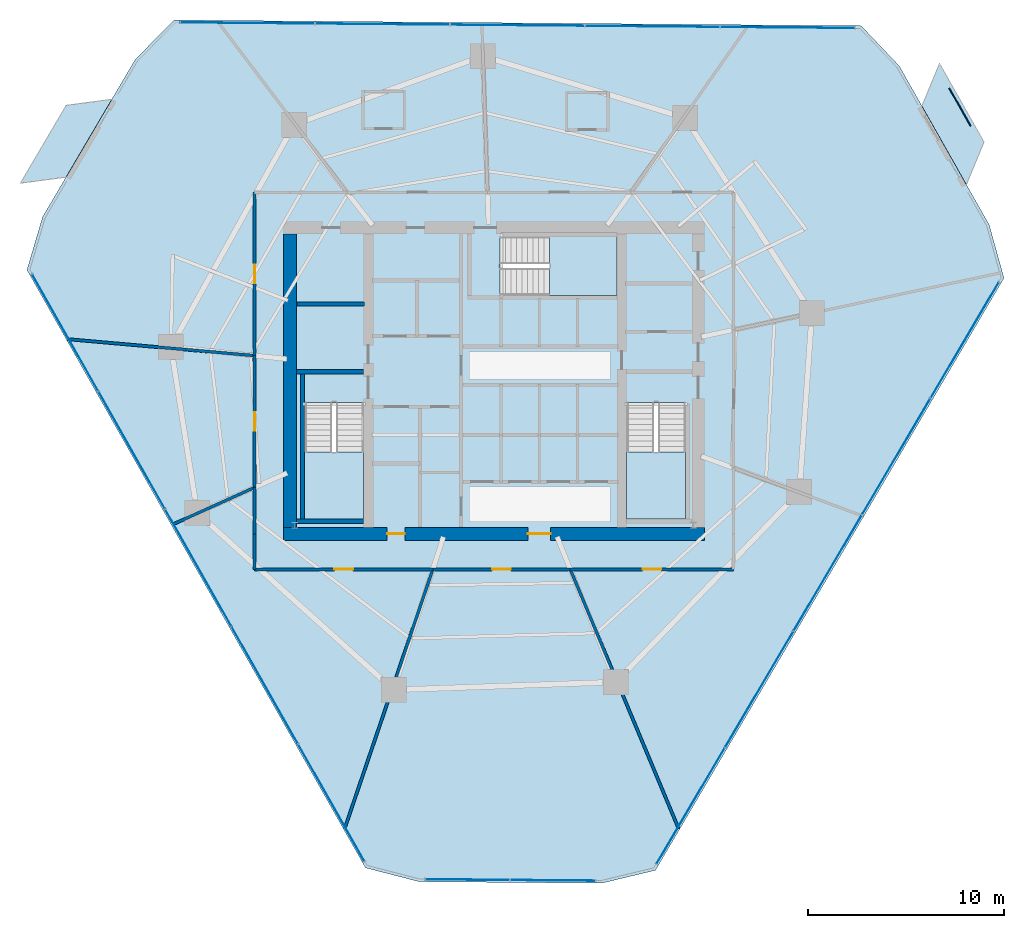
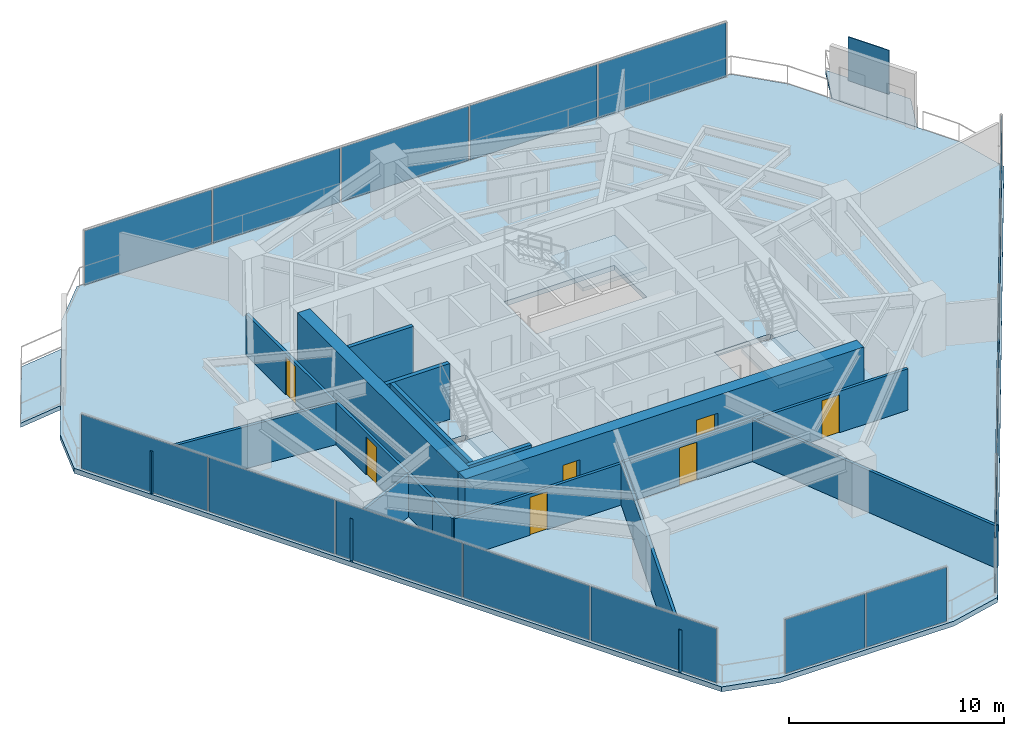
# One storey, part 24 of 31: 18 plates, 17 walls, 7 doors, 6 slabs, 7 openings, 7 elements without a shape of their own.
"""IFC4 building model written with IfcOpenShell, lengths in metres."""

from ifc_helpers import new_model, si_unit, direction, frame, frame_2d, origin, origin_2d, place, context, subcontext, project, spatial, polyline, rectangle, outline, extrude, material, layer, layer_set, type_object, element, fill, aggregate, save


model = new_model("IFC4")

# Units and contexts
model_context = context("Model", 3, precision=1e-05, world=origin(), true_north=direction((0.0, 1.0)))
body_context = subcontext(model_context, "Body", "Model", "MODEL_VIEW")
ifc_project = project(units=[si_unit("LENGTHUNIT", "METRE"), si_unit("AREAUNIT", "SQUARE_METRE"), si_unit("VOLUMEUNIT", "CUBIC_METRE"), si_unit("PLANEANGLEUNIT", "RADIAN"), si_unit("MASSUNIT", "GRAM", prefix="KILO")], contexts=[model_context])

# Site, building, storey
site_placement = place(None, origin())
site = spatial("IfcSite", under=ifc_project, at=site_placement, CompositionType="ELEMENT")
building_placement = place(site_placement, origin())
building = spatial("IfcBuilding", under=site, at=building_placement, Name="Qarnah Convention Tower", CompositionType="ELEMENT")
storey_placement = place(building_placement, frame((0.0, 0.0, 64.949951171875)))
storey = spatial("IfcBuildingStorey", under=building, at=storey_placement, Name="L16", CompositionType="ELEMENT", Elevation=64.949951171875)

# Curtain wall, plates
ifc_material_1 = material(Name="Tempered Low-E dark glass", Category="glass")
ifc_layer_1 = layer(ifc_material_1, 0.16796875)
ifc_layer_set_1 = layer_set([ifc_layer_1], Name="Tempered Low-E dark glass")
curtain_wall_type = type_object("IfcCurtainWallType", Name="CWS-01", PredefinedType="NOTDEFINED", material=ifc_layer_set_1)
curtain_wall_1_placement = place(storey_placement, origin())
curtain_wall_1 = element("IfcCurtainWall", 1, at=curtain_wall_1_placement, inside=storey, type_object=curtain_wall_type, Name="L16 unitised curtain wall CW-L16-F1", PredefinedType="NOTDEFINED")
ifc_layer_2 = layer(ifc_material_1, 0.028076171875)
ifc_layer_set_2 = layer_set([ifc_layer_2], Name="Tempered Low-E dark glass")
plate_type_1 = type_object("IfcPlateType", Name="PNL-T1", PredefinedType="CURTAIN_PANEL", material=ifc_layer_set_2)
plate_1_placement = place(storey_placement, frame((24.63671875, 44.625244140625, 0.0400390625), z_axis=(0.0, 0.0, 1.0), x_axis=(0.999965190634, -0.008343711474, 0.0)))
plate_1 = element("IfcPlate", 2, at=plate_1_placement, type_object=plate_type_1, Name="CW-L16-F1 curtain panel 1.1", PredefinedType="CURTAIN_PANEL", context=body_context, shape_type="SweptSolid", body=[
    extrude(rectangle(XDim=6.799560546875, YDim=0.028076171875, at=origin_2d()), origin(), (0.0, 0.0, 1.0), 3.090087890625),
])
plate_2_placement = place(storey_placement, frame((31.515869140625, 44.56787109375, 0.0400390625), z_axis=(0.0, 0.0, 1.0), x_axis=(0.999965190634, -0.008343711474, 0.0)))
plate_2 = element("IfcPlate", 3, at=plate_2_placement, type_object=plate_type_1, Name="CW-L16-F1 curtain panel 2.1", PredefinedType="CURTAIN_PANEL", context=body_context, shape_type="SweptSolid", body=[
    extrude(rectangle(XDim=6.799560546875, YDim=0.028076171875, at=origin_2d()), origin(), (0.0, 0.0, 1.0), 3.090087890625),
])
plate_3_placement = place(storey_placement, frame((38.39501953125, 44.510498046875, 0.0400390625), z_axis=(0.0, 0.0, 1.0), x_axis=(0.999965190634, -0.008343711474, 0.0)))
plate_3 = element("IfcPlate", 4, at=plate_3_placement, type_object=plate_type_1, Name="CW-L16-F1 curtain panel 3.1", PredefinedType="CURTAIN_PANEL", context=body_context, shape_type="SweptSolid", body=[
    extrude(rectangle(XDim=6.799560546875, YDim=0.028076171875, at=origin_2d()), origin(), (0.0, 0.0, 1.0), 3.090087890625),
])
plate_4_placement = place(storey_placement, frame((45.274169921875, 44.453125, 0.0400390625), z_axis=(0.0, 0.0, 1.0), x_axis=(0.999965190634, -0.008343711474, 0.0)))
plate_4 = element("IfcPlate", 5, at=plate_4_placement, type_object=plate_type_1, Name="CW-L16-F1 curtain panel 4.1", PredefinedType="CURTAIN_PANEL", context=body_context, shape_type="SweptSolid", body=[
    extrude(rectangle(XDim=6.799560546875, YDim=0.028076171875, at=origin_2d()), origin(), (0.0, 0.0, 1.0), 3.090087890625),
])
plate_5_placement = place(storey_placement, frame((52.1533203125, 44.395751953125, 0.0400390625), z_axis=(0.0, 0.0, 1.0), x_axis=(0.999965190634, -0.008343711474, 0.0)))
plate_5 = element("IfcPlate", 6, at=plate_5_placement, type_object=plate_type_1, Name="CW-L16-F1 curtain panel 5.1", PredefinedType="CURTAIN_PANEL", context=body_context, shape_type="SweptSolid", body=[
    extrude(rectangle(XDim=6.799560546875, YDim=0.028076171875, at=origin_2d()), origin(), (0.0, 0.0, 1.0), 3.090087890625),
])
aggregate(curtain_wall_1, [plate_1, plate_2, plate_3, plate_4, plate_5])

curtain_wall_2_placement = place(storey_placement, origin())
curtain_wall_2 = element("IfcCurtainWall", 7, at=curtain_wall_2_placement, inside=storey, type_object=curtain_wall_type, Name="L16 unitised curtain wall CW-L16-F2", PredefinedType="NOTDEFINED")
plate_6_placement = place(storey_placement, frame((61.17138671875, 28.467529296875, 0.0400390625), z_axis=(0.0, 0.0, 1.0), x_axis=(-0.507200534441, -0.86182806746, 0.0)))
plate_6 = element("IfcPlate", 8, at=plate_6_placement, type_object=plate_type_1, Name="CW-L16-F2 curtain panel 1.1", PredefinedType="CURTAIN_PANEL", context=body_context, shape_type="SweptSolid", body=[
    extrude(rectangle(XDim=6.79931640625, YDim=0.028076171875, at=origin_2d()), origin(), (0.0, 0.0, 1.0), 3.090087890625),
])
plate_7_placement = place(storey_placement, frame((57.68212890625, 22.538818359375, 0.0400390625), z_axis=(0.0, 0.0, 1.0), x_axis=(-0.507200534441, -0.86182806746, 0.0)))
plate_7 = element("IfcPlate", 9, at=plate_7_placement, type_object=plate_type_1, Name="CW-L16-F2 curtain panel 2.1", PredefinedType="CURTAIN_PANEL", context=body_context, shape_type="SweptSolid", body=[
    extrude(rectangle(XDim=6.79931640625, YDim=0.028076171875, at=origin_2d()), origin(), (0.0, 0.0, 1.0), 3.090087890625),
])
plate_8_placement = place(storey_placement, frame((54.193115234375, 16.610107421875, 0.0400390625), z_axis=(0.0, 0.0, 1.0), x_axis=(-0.507200534441, -0.86182806746, 0.0)))
plate_8 = element("IfcPlate", 10, at=plate_8_placement, type_object=plate_type_1, Name="CW-L16-F2 curtain panel 3.1", PredefinedType="CURTAIN_PANEL", context=body_context, shape_type="SweptSolid", body=[
    extrude(rectangle(XDim=6.79931640625, YDim=0.028076171875, at=origin_2d()), origin(), (0.0, 0.0, 1.0), 3.090087890625),
])
plate_9_placement = place(storey_placement, frame((50.703857421875, 10.68115234375, 0.0400390625), z_axis=(0.0, 0.0, 1.0), x_axis=(-0.507200534441, -0.86182806746, 0.0)))
plate_9 = element("IfcPlate", 11, at=plate_9_placement, type_object=plate_type_1, Name="CW-L16-F2 curtain panel 4.1", PredefinedType="CURTAIN_PANEL", context=body_context, shape_type="SweptSolid", body=[
    extrude(rectangle(XDim=6.79931640625, YDim=0.028076171875, at=origin_2d()), origin(), (0.0, 0.0, 1.0), 3.090087890625),
])
plate_10_placement = place(storey_placement, frame((47.214599609375, 4.75244140625, 0.0400390625), z_axis=(0.0, 0.0, 1.0), x_axis=(-0.507200534441, -0.86182806746, 0.0)))
plate_10 = element("IfcPlate", 12, at=plate_10_placement, type_object=plate_type_1, Name="CW-L16-F2 curtain panel 5.1", PredefinedType="CURTAIN_PANEL", context=body_context, shape_type="SweptSolid", body=[
    extrude(rectangle(XDim=6.79931640625, YDim=0.028076171875, at=origin_2d()), origin(), (0.0, 0.0, 1.0), 3.090087890625),
])
aggregate(curtain_wall_2, [plate_6, plate_7, plate_8, plate_9, plate_10])

curtain_wall_3_placement = place(storey_placement, origin())
curtain_wall_3 = element("IfcCurtainWall", 13, at=curtain_wall_3_placement, inside=storey, type_object=curtain_wall_type, Name="L16 unitised curtain wall CW-L16-F3", PredefinedType="NOTDEFINED")
plate_11_placement = place(storey_placement, frame((28.9111328125, 4.906005859375, 0.0400390625), z_axis=(0.0, 0.0, 1.0), x_axis=(-0.492728662866, 0.870183006493, 0.0)))
plate_11 = element("IfcPlate", 14, at=plate_11_placement, type_object=plate_type_1, Name="CW-L16-F3 curtain panel 1.1", PredefinedType="CURTAIN_PANEL", context=body_context, shape_type="SweptSolid", body=[
    extrude(rectangle(XDim=6.79931640625, YDim=0.028076171875, at=origin_2d()), origin(), (0.0, 0.0, 1.0), 3.090087890625),
])
plate_12_placement = place(storey_placement, frame((25.521484375, 10.892333984375, 0.0400390625), z_axis=(0.0, 0.0, 1.0), x_axis=(-0.492728662866, 0.870183006493, 0.0)))
plate_12 = element("IfcPlate", 15, at=plate_12_placement, type_object=plate_type_1, Name="CW-L16-F3 curtain panel 2.1", PredefinedType="CURTAIN_PANEL", context=body_context, shape_type="SweptSolid", body=[
    extrude(rectangle(XDim=6.79931640625, YDim=0.028076171875, at=origin_2d()), origin(), (0.0, 0.0, 1.0), 3.090087890625),
])
plate_13_placement = place(storey_placement, frame((22.132080078125, 16.87841796875, 0.0400390625), z_axis=(0.0, 0.0, 1.0), x_axis=(-0.492728662866, 0.870183006493, 0.0)))
plate_13 = element("IfcPlate", 16, at=plate_13_placement, type_object=plate_type_1, Name="CW-L16-F3 curtain panel 3.1", PredefinedType="CURTAIN_PANEL", context=body_context, shape_type="SweptSolid", body=[
    extrude(rectangle(XDim=6.79931640625, YDim=0.028076171875, at=origin_2d()), origin(), (0.0, 0.0, 1.0), 3.090087890625),
])
plate_14_placement = place(storey_placement, frame((18.742431640625, 22.86474609375, 0.0400390625), z_axis=(0.0, 0.0, 1.0), x_axis=(-0.492728662866, 0.870183006493, 0.0)))
plate_14 = element("IfcPlate", 17, at=plate_14_placement, type_object=plate_type_1, Name="CW-L16-F3 curtain panel 4.1", PredefinedType="CURTAIN_PANEL", context=body_context, shape_type="SweptSolid", body=[
    extrude(rectangle(XDim=6.79931640625, YDim=0.028076171875, at=origin_2d()), origin(), (0.0, 0.0, 1.0), 3.090087890625),
])
plate_15_placement = place(storey_placement, frame((15.352783203125, 28.850830078125, 0.0400390625), z_axis=(0.0, 0.0, 1.0), x_axis=(-0.492728662866, 0.870183006493, 0.0)))
plate_15 = element("IfcPlate", 18, at=plate_15_placement, type_object=plate_type_1, Name="CW-L16-F3 curtain panel 5.1", PredefinedType="CURTAIN_PANEL", context=body_context, shape_type="SweptSolid", body=[
    extrude(rectangle(XDim=6.79931640625, YDim=0.028076171875, at=origin_2d()), origin(), (0.0, 0.0, 1.0), 3.090087890625),
])
aggregate(curtain_wall_3, [plate_11, plate_12, plate_13, plate_14, plate_15])

curtain_wall_4_placement = place(storey_placement, origin())
curtain_wall_4 = element("IfcCurtainWall", 19, at=curtain_wall_4_placement, inside=storey, type_object=curtain_wall_type, Name="L16 unitised curtain wall CW-L16-F4", PredefinedType="NOTDEFINED")
plate_16_placement = place(storey_placement, frame((40.204345703125, 0.950927734375, 0.0400390625), z_axis=(0.0, 0.0, 1.0), x_axis=(-0.999965717391, 0.008280340758, 0.0)))
plate_16 = element("IfcPlate", 20, at=plate_16_placement, type_object=plate_type_1, Name="CW-L16-F4 curtain panel 1.1", PredefinedType="CURTAIN_PANEL", context=body_context, shape_type="SweptSolid", body=[
    extrude(rectangle(XDim=4.267578125, YDim=0.028076171875, at=origin_2d()), origin(), (0.0, 0.0, 1.0), 3.090087890625),
])
plate_17_placement = place(storey_placement, frame((35.856689453125, 0.987060546875, 0.0400390625), z_axis=(0.0, 0.0, 1.0), x_axis=(-0.999965717391, 0.008280340758, 0.0)))
plate_17 = element("IfcPlate", 21, at=plate_17_placement, type_object=plate_type_1, Name="CW-L16-F4 curtain panel 2.1", PredefinedType="CURTAIN_PANEL", context=body_context, shape_type="SweptSolid", body=[
    extrude(rectangle(XDim=4.267578125, YDim=0.028076171875, at=origin_2d()), origin(), (0.0, 0.0, 1.0), 3.090087890625),
])
aggregate(curtain_wall_4, [plate_16, plate_17])

# Plate
ifc_material_2 = material(Name="Black anodised aluminium", Category="aluminium")
ifc_layer_3 = layer(ifc_material_2, 0.044921875)
ifc_layer_set_3 = layer_set([ifc_layer_3], Name="Black anodised aluminium")
plate_type_2 = type_object("IfcPlateType", Name="SCR-BAL-18", PredefinedType="USERDEFINED", material=ifc_layer_set_3)
plate_18_placement = place(storey_placement, frame((60.928955078125, 40.337890625, 0.0), z_axis=(0.0, 0.0, 1.0), x_axis=(0.492880728365, -0.870096884034, 0.0)))
element("IfcPlate", 22, at=plate_18_placement, inside=storey, type_object=plate_type_2, Name="L16 perforated desert solar screen BAL-L16-C1", ObjectType="SCREEN", PredefinedType="USERDEFINED", context=body_context, shape_type="SweptSolid", body=[
    extrude(rectangle(XDim=2.199951171875, YDim=0.044921875, at=origin_2d()), origin(), (0.0, 0.0, 1.0), 2.5),
])

# Slabs
ifc_material_3 = material(Name="Concrete C45/55", Category="concrete")
ifc_layer_4 = layer(ifc_material_3, 0.239990234375)
ifc_layer_set_4 = layer_set([ifc_layer_4], Name="Concrete C45/55")
slab_type_1 = type_object("IfcSlabType", Name="SLB-BAL-240", PredefinedType="USERDEFINED", material=ifc_layer_set_4)
slab_1_placement = place(storey_placement, frame((0.0, 0.0, -0.239990234375)))
element("IfcSlab", 23, at=slab_1_placement, inside=storey, type_object=slab_type_1, Name="L16 cantilevered balcony slab BAL-L16-C1", ObjectType="BALCONY", PredefinedType="USERDEFINED", context=body_context, shape_type="SweptSolid", body=[
    extrude(outline(polyline([(59.886962890625, 42.56103515625), (62.154052734375, 38.55908203125), (61.257080078125, 36.389892578125), (58.989990234375, 40.39404296875), (59.886962890625, 42.56103515625)])), origin(), (0.0, 0.0, 1.0), 0.239990234375),
])
slab_2_placement = place(storey_placement, frame((0.0, 0.0, -0.239990234375)))
element("IfcSlab", 24, at=slab_2_placement, inside=storey, type_object=slab_type_1, Name="L16 cantilevered balcony slab BAL-L16-C2", ObjectType="BALCONY", PredefinedType="USERDEFINED", context=body_context, shape_type="SweptSolid", body=[
    extrude(outline(polyline([(13.073974609375, 36.466064453125), (15.406982421875, 40.430908203125), (17.73291015625, 40.738037109375), (15.39892578125, 36.77294921875), (13.073974609375, 36.466064453125)])), origin(), (0.0, 0.0, 1.0), 0.239990234375),
])

# Stair, slab
ifc_material_4 = material(Name="Concrete C50/60", Category="concrete")
stair_type = type_object("IfcStairType", Name="STR-HTL", PredefinedType="HALF_TURN_STAIR", material=ifc_material_4)
stair_1_placement = place(storey_placement, origin())
stair_1 = element("IfcStair", 25, at=stair_1_placement, inside=storey, type_object=stair_type, Name="L16 Core exit stair ST-1", PredefinedType="HALF_TURN_STAIR")
ifc_layer_5 = layer(ifc_material_4, 0.199951171875)
ifc_layer_set_5 = layer_set([ifc_layer_5], Name="Concrete C50/60")
slab_type_2 = type_object("IfcSlabType", Name="SLB-LANDING-200", PredefinedType="LANDING", material=ifc_layer_set_5)
slab_3_placement = place(storey_placement, frame((0.0, 0.0, 1.525146484375)))
slab_3 = element("IfcSlab", 26, at=slab_3_placement, type_object=slab_type_2, Name="ST-1 landing 1", PredefinedType="LANDING", context=body_context, shape_type="SweptSolid", body=[
    extrude(outline(polyline([(27.550048828125, 22.780029296875), (27.550048828125, 19.35009765625), (30.550048828125, 19.35009765625), (30.550048828125, 22.780029296875), (27.550048828125, 22.780029296875)])), origin(), (0.0, 0.0, 1.0), 0.199951171875),
])
aggregate(stair_1, [slab_3])

stair_2_placement = place(storey_placement, origin())
stair_2 = element("IfcStair", 27, at=stair_2_placement, inside=storey, type_object=stair_type, Name="L16 Core exit stair ST-2", PredefinedType="HALF_TURN_STAIR")
slab_4_placement = place(storey_placement, frame((0.0, 0.0, 1.525146484375)))
slab_4 = element("IfcSlab", 28, at=slab_4_placement, type_object=slab_type_2, Name="ST-2 landing 1", PredefinedType="LANDING", context=body_context, shape_type="SweptSolid", body=[
    extrude(outline(polyline([(43.949951171875, 22.780029296875), (43.949951171875, 19.35009765625), (46.949951171875, 19.35009765625), (46.949951171875, 22.780029296875), (43.949951171875, 22.780029296875)])), origin(), (0.0, 0.0, 1.0), 0.199951171875),
])
aggregate(stair_2, [slab_4])

stair_3_placement = place(storey_placement, origin())
stair_3 = element("IfcStair", 29, at=stair_3_placement, inside=storey, type_object=stair_type, Name="L16 Core exit stair ST-3", PredefinedType="HALF_TURN_STAIR")
slab_5_placement = place(storey_placement, frame((0.0, 0.0, 1.525146484375)))
slab_5 = element("IfcSlab", 30, at=slab_5_placement, type_object=slab_type_2, Name="ST-3 landing 1", PredefinedType="LANDING", context=body_context, shape_type="SweptSolid", body=[
    extrude(outline(polyline([(40.02001953125, 30.75), (43.449951171875, 30.75), (43.449951171875, 33.75), (40.02001953125, 33.75), (40.02001953125, 30.75)])), origin(), (0.0, 0.0, 1.0), 0.199951171875),
])
aggregate(stair_3, [slab_5])

# Slab
ifc_layer_6 = layer(ifc_material_3, 0.280029296875)
ifc_layer_set_6 = layer_set([ifc_layer_6], Name="Concrete C45/55")
slab_type_3 = type_object("IfcSlabType", Name="SLB-TWR-280", PredefinedType="FLOOR", material=ifc_layer_set_6)
slab_6_placement = place(storey_placement, frame((0.0, 0.0, -0.280029296875)))
element("IfcSlab", 31, at=slab_6_placement, inside=storey, type_object=slab_type_3, Name="L16 structural floor slab", PredefinedType="FLOOR", context=body_context, shape_type="SweptSolid", body=[
    extrude(outline(polyline([(55.89404296875, 44.48388671875), (20.89794921875, 44.777099609375), (18.9208984375, 42.763916015625), (14.2060546875, 34.7529296875), (13.406005859375, 32.0458984375), (30.64892578125, 1.593017578125), (33.382080078125, 0.887939453125), (42.677001953125, 0.81005859375), (45.4208984375, 1.468994140625), (63.172119140625, 31.6298828125), (62.4169921875, 34.34912109375), (57.8369140625, 42.43798828125), (55.89404296875, 44.48388671875)]), holes=[polyline([(27.550048828125, 25.300048828125), (27.550048828125, 19.35009765625), (30.550048828125, 19.35009765625), (30.550048828125, 25.300048828125), (27.550048828125, 25.300048828125)]), polyline([(43.949951171875, 25.300048828125), (43.949951171875, 19.35009765625), (46.949951171875, 19.35009765625), (46.949951171875, 25.300048828125), (43.949951171875, 25.300048828125)]), polyline([(37.5, 30.75), (43.449951171875, 30.75), (43.449951171875, 33.75), (37.5, 33.75), (37.5, 30.75)])]), origin(), (0.0, 0.0, 1.0), 0.280029296875),
])

# Wall, openings, doors
ifc_material_5 = material(Name="Concrete C60/75", Category="concrete")
ifc_layer_7 = layer(ifc_material_5, 0.64990234375)
ifc_layer_set_7 = layer_set([ifc_layer_7], Name="Concrete C60/75")
wall_type_1 = type_object("IfcWallType", Name="WL-CORE-650", PredefinedType="SHEAR", material=ifc_layer_set_7)
wall_1_placement = place(storey_placement, frame((26.47509765625, 18.60009765625, 0.0), z_axis=(0.0, 0.0, 1.0), x_axis=(1.0, 0.0, 0.0)))
wall_1 = element("IfcWall", 32, at=wall_1_placement, inside=storey, type_object=wall_type_1, Name="L16 core south shear wall", PredefinedType="SHEAR", context=body_context, shape_type="SweptSolid", body=[
    extrude(rectangle(XDim=21.449951171875, YDim=0.64990234375, at=frame_2d((10.72509765625, 0.0))), origin(), (0.0, 0.0, 1.0), 3.170166015625),
])
opening_1_placement = place(wall_1_placement, frame((12.449951171875, 0.0, 0.0)))
opening_1 = element("IfcOpeningElement", 33, at=opening_1_placement, cuts=wall_1, Name="Opening D-1607", PredefinedType="OPENING", context=body_context, shape_type="SweptSolid", body=[
    extrude(rectangle(XDim=1.14990234375, YDim=2.14990234375, at=frame_2d((0.574951171875, 1.074951171875))), frame((0.0, 0.3349609375, 0.0), z_axis=(0.0, -1.0, 0.0), x_axis=(1.0, 0.0, 0.0)), (0.0, 0.0, 1.0), 0.669921875),
])
opening_2_placement = place(wall_1_placement, frame((5.27490234375, 0.0, 0.0)))
opening_2 = element("IfcOpeningElement", 34, at=opening_2_placement, cuts=wall_1, Name="Opening D-1613", PredefinedType="OPENING", context=body_context, shape_type="SweptSolid", body=[
    extrude(rectangle(XDim=0.89990234375, YDim=2.10009765625, at=frame_2d((0.449951171875, 1.050048828125))), frame((0.0, 0.3349609375, 0.0), z_axis=(0.0, -1.0, 0.0), x_axis=(1.0, 0.0, 0.0)), (0.0, 0.0, 1.0), 0.669921875),
])
ifc_material_6 = material(Name="Structural steel S355JR", Category="steel")
door_type_1 = type_object("IfcDoorType", Name="DT-LOBBY-1150", OperationType="NOTDEFINED", PredefinedType="DOOR", material=ifc_material_6)
door_1_placement = place(opening_1_placement, origin())
door_1 = element("IfcDoor", 35, at=door_1_placement, inside=storey, type_object=door_type_1, Name="Door D-1607", OperationType="SINGLE_SWING_LEFT", OverallHeight=2.14990234375, OverallWidth=1.14990234375, PredefinedType="DOOR", context=body_context, shape_type="SweptSolid", body=[
    extrude(rectangle(XDim=1.14990234375, YDim=2.14990234375, at=frame_2d((0.574951171875, 1.074951171875))), frame((0.0, 0.02490234375, 0.0), z_axis=(0.0, -1.0, 0.0), x_axis=(1.0, 0.0, 0.0)), (0.0, 0.0, 1.0), 0.050048828125),
])
fill(opening_1, door_1)
door_type_2 = type_object("IfcDoorType", Name="DT-RISER-900", OperationType="NOTDEFINED", PredefinedType="DOOR", material=ifc_material_6)
door_2_placement = place(opening_2_placement, origin())
door_2 = element("IfcDoor", 36, at=door_2_placement, inside=storey, type_object=door_type_2, Name="Door D-1613", OperationType="SINGLE_SWING_LEFT", OverallHeight=2.10009765625, OverallWidth=0.89990234375, PredefinedType="DOOR", context=body_context, shape_type="SweptSolid", body=[
    extrude(rectangle(XDim=0.89990234375, YDim=2.10009765625, at=frame_2d((0.449951171875, 1.050048828125))), frame((0.0, 0.02490234375, 0.0), z_axis=(0.0, -1.0, 0.0), x_axis=(1.0, 0.0, 0.0)), (0.0, 0.0, 1.0), 0.050048828125),
])
fill(opening_2, door_2)

# Walls
wall_2_placement = place(storey_placement, frame((26.800048828125, 18.925048828125, 0.0), z_axis=(0.0, 0.0, 1.0), x_axis=(0.0, 1.0, 0.0)))
element("IfcWall", 37, at=wall_2_placement, inside=storey, type_object=wall_type_1, Name="L16 core west shear wall", PredefinedType="SHEAR", context=body_context, shape_type="SweptSolid", body=[
    extrude(rectangle(XDim=14.949951171875, YDim=0.64990234375, at=frame_2d((7.47509765625, 0.0))), origin(), (0.0, 0.0, 1.0), 3.170166015625),
])
ifc_layer_8 = layer(ifc_material_3, 0.199951171875)
ifc_layer_set_8 = layer_set([ifc_layer_8], Name="Concrete C45/55")
wall_type_2 = type_object("IfcWallType", Name="WL-CORE-PART-200", PredefinedType="SOLIDWALL", material=ifc_layer_set_8)
wall_3_placement = place(storey_placement, frame((27.14990234375, 30.320068359375, 0.0), z_axis=(0.0, 0.0, 1.0), x_axis=(1.0, 0.0, 0.0)))
element("IfcWall", 38, at=wall_3_placement, inside=storey, type_object=wall_type_2, Name="L16 interior wall IW-L16-ELRN", PredefinedType="SOLIDWALL", context=body_context, shape_type="SweptSolid", body=[
    extrude(rectangle(XDim=3.4501953125, YDim=0.199951171875, at=frame_2d((1.72509765625, 0.0))), origin(), (0.0, 0.0, 1.0), 3.170166015625),
])
ifc_layer_9 = layer(ifc_material_5, 0.219970703125)
ifc_layer_set_9 = layer_set([ifc_layer_9], Name="Concrete C60/75")
wall_type_3 = type_object("IfcWallType", Name="WL-CORE-STAIR-220", PredefinedType="SHEAR", material=ifc_layer_set_9)
wall_4_placement = place(storey_placement, frame((27.125, 26.860107421875, 0.0), z_axis=(0.0, 0.0, 1.0), x_axis=(1.0, 0.0, 0.0)))
element("IfcWall", 39, at=wall_4_placement, inside=storey, type_object=wall_type_3, Name="L16 stair shaft shear wall SW-L16-ST1N", PredefinedType="SHEAR", context=body_context, shape_type="SweptSolid", body=[
    extrude(rectangle(XDim=3.425048828125, YDim=0.219970703125, at=frame_2d((1.71240234375, 0.0))), origin(), (0.0, 0.0, 1.0), 3.170166015625),
])
wall_5_placement = place(storey_placement, frame((27.43994140625, 19.35009765625, 0.0), z_axis=(0.0, 0.0, 1.0), x_axis=(0.0, 1.0, 0.0)))
element("IfcWall", 40, at=wall_5_placement, inside=storey, type_object=wall_type_3, Name="L16 stair shaft shear wall SW-L16-ST1W", PredefinedType="SHEAR", context=body_context, shape_type="SweptSolid", body=[
    extrude(rectangle(XDim=7.39990234375, YDim=0.219970703125, at=frame_2d((3.699951171875, 0.0))), origin(), (0.0, 0.0, 1.0), 3.170166015625),
])
wall_6_placement = place(storey_placement, frame((27.125, 19.239990234375, 0.0), z_axis=(0.0, 0.0, 1.0), x_axis=(1.0, 0.0, 0.0)))
element("IfcWall", 41, at=wall_6_placement, inside=storey, type_object=wall_type_3, Name="L16 stair shaft shear wall SW-L16-ST1S", PredefinedType="SHEAR", context=body_context, shape_type="SweptSolid", body=[
    extrude(rectangle(XDim=3.425048828125, YDim=0.219970703125, at=frame_2d((1.71240234375, 0.0))), origin(), (0.0, 0.0, 1.0), 3.170166015625),
])
ifc_material_7 = material(Name="Gypsum partition board")
ifc_layer_10 = layer(ifc_material_7, 0.14990234375)
ifc_layer_set_10 = layer_set([ifc_layer_10], Name="Gypsum partition board")
wall_type_4 = type_object("IfcWallType", Name="WL-SUITE-150", PredefinedType="PARTITIONING", material=ifc_layer_set_10)
wall_7_placement = place(storey_placement, frame((15.47802734375, 28.52001953125, 0.0), z_axis=(0.0, 0.0, 1.0), x_axis=(0.996148506413, -0.087682114315, 0.0)))
element("IfcWall", 42, at=wall_7_placement, inside=storey, type_object=wall_type_4, Name="L16 interior wall IW-L16-R-18", PredefinedType="PARTITIONING", context=body_context, shape_type="SweptSolid", body=[
    extrude(rectangle(XDim=9.558837890625, YDim=0.14990234375, at=frame_2d((4.779296875, 0.0))), origin(), (0.0, 0.0, 1.0), 2.39501953125),
])

# Wall, opening, door
wall_8_placement = place(storey_placement, frame((25.0, 27.681884765625, 0.0), z_axis=(0.0, 0.0, 1.0), x_axis=(0.0, 1.0, 0.0)))
wall_8 = element("IfcWall", 43, at=wall_8_placement, inside=storey, type_object=wall_type_4, Name="L16 interior wall IW-L16-R-19", PredefinedType="PARTITIONING", context=body_context, shape_type="SweptSolid", body=[
    extrude(rectangle(XDim=8.318115234375, YDim=0.14990234375, at=frame_2d((4.1591796875, 0.0))), origin(), (0.0, 0.0, 1.0), 2.35498046875),
])
opening_3_placement = place(wall_8_placement, frame((3.68408203125, 0.0, 0.0)))
opening_3 = element("IfcOpeningElement", 44, at=opening_3_placement, cuts=wall_8, Name="Opening D-1621", PredefinedType="OPENING", context=body_context, shape_type="SweptSolid", body=[
    extrude(rectangle(XDim=0.949951171875, YDim=2.14990234375, at=frame_2d((0.47509765625, 1.074951171875))), frame((0.0, 0.0849609375, 0.0), z_axis=(0.0, -1.0, 0.0), x_axis=(1.0, 0.0, 0.0)), (0.0, 0.0, 1.0), 0.169921875),
])
ifc_material_8 = material(Name="Oak timber veneer", Category="wood")
door_type_3 = type_object("IfcDoorType", Name="DT-HOTEL-950", OperationType="NOTDEFINED", PredefinedType="DOOR", material=ifc_material_8)
door_3_placement = place(opening_3_placement, origin())
door_3 = element("IfcDoor", 45, at=door_3_placement, inside=storey, type_object=door_type_3, Name="Door D-1621", OperationType="SINGLE_SWING_LEFT", OverallHeight=2.14990234375, OverallWidth=0.949951171875, PredefinedType="DOOR", context=body_context, shape_type="SweptSolid", body=[
    extrude(rectangle(XDim=0.949951171875, YDim=2.14990234375, at=frame_2d((0.47509765625, 1.074951171875))), frame((0.0, 0.02490234375, 0.0), z_axis=(0.0, -1.0, 0.0), x_axis=(1.0, 0.0, 0.0)), (0.0, 0.0, 1.0), 0.050048828125),
])
fill(opening_3, door_3)

# Wall
wall_9_placement = place(storey_placement, frame((20.8359375, 19.0849609375, 0.0), z_axis=(0.0, 0.0, 1.0), x_axis=(0.911164277588, 0.412043273513, 0.0)))
element("IfcWall", 46, at=wall_9_placement, inside=storey, type_object=wall_type_4, Name="L16 interior wall IW-L16-R-22", PredefinedType="PARTITIONING", context=body_context, shape_type="SweptSolid", body=[
    extrude(rectangle(XDim=4.570068359375, YDim=0.14990234375, at=frame_2d((2.28515625, 0.0))), origin(), (0.0, 0.0, 1.0), 2.39501953125),
])

# Wall, opening, door
wall_10_placement = place(storey_placement, frame((25.0, 20.968017578125, 0.0), z_axis=(0.0, 0.0, 1.0), x_axis=(0.0, 1.0, 0.0)))
wall_10 = element("IfcWall", 47, at=wall_10_placement, inside=storey, type_object=wall_type_4, Name="L16 interior wall IW-L16-R-23", PredefinedType="PARTITIONING", context=body_context, shape_type="SweptSolid", body=[
    extrude(rectangle(XDim=6.7138671875, YDim=0.14990234375, at=frame_2d((3.35693359375, 0.0))), origin(), (0.0, 0.0, 1.0), 2.39501953125),
])
opening_4_placement = place(wall_10_placement, frame((2.882080078125, 0.0, 0.0)))
opening_4 = element("IfcOpeningElement", 48, at=opening_4_placement, cuts=wall_10, Name="Opening D-1622", PredefinedType="OPENING", context=body_context, shape_type="SweptSolid", body=[
    extrude(rectangle(XDim=0.949951171875, YDim=2.14990234375, at=frame_2d((0.47509765625, 1.074951171875))), frame((0.0, 0.0849609375, 0.0), z_axis=(0.0, -1.0, 0.0), x_axis=(1.0, 0.0, 0.0)), (0.0, 0.0, 1.0), 0.169921875),
])
door_4_placement = place(opening_4_placement, origin())
door_4 = element("IfcDoor", 49, at=door_4_placement, inside=storey, type_object=door_type_3, Name="Door D-1622", OperationType="SINGLE_SWING_RIGHT", OverallHeight=2.14990234375, OverallWidth=0.949951171875, PredefinedType="DOOR", context=body_context, shape_type="SweptSolid", body=[
    extrude(rectangle(XDim=0.949951171875, YDim=2.14990234375, at=frame_2d((0.47509765625, 1.074951171875))), frame((0.0, 0.02490234375, 0.0), z_axis=(0.0, -1.0, 0.0), x_axis=(1.0, 0.0, 0.0)), (0.0, 0.0, 1.0), 0.050048828125),
])
fill(opening_4, door_4)

# Wall
wall_11_placement = place(storey_placement, frame((29.589111328125, 3.5859375, 0.0), z_axis=(0.0, 0.0, 1.0), x_axis=(0.321847852466, 0.946791402508, 0.0)))
element("IfcWall", 50, at=wall_11_placement, inside=storey, type_object=wall_type_4, Name="L16 interior wall IW-L16-R-24", PredefinedType="PARTITIONING", context=body_context, shape_type="SweptSolid", body=[
    extrude(rectangle(XDim=13.956787109375, YDim=0.14990234375, at=frame_2d((6.978515625, 0.0))), origin(), (0.0, 0.0, 1.0), 2.39501953125),
])

# Wall, opening, door
wall_12_placement = place(storey_placement, frame((34.0810546875, 16.800048828125, 0.0), z_axis=(0.0, 0.0, 1.0), x_axis=(-1.0, 0.0, 0.0)))
wall_12 = element("IfcWall", 51, at=wall_12_placement, inside=storey, type_object=wall_type_4, Name="L16 interior wall IW-L16-R-25", PredefinedType="PARTITIONING", context=body_context, shape_type="SweptSolid", body=[
    extrude(rectangle(XDim=9.0810546875, YDim=0.14990234375, at=frame_2d((4.54052734375, 0.0))), origin(), (0.0, 0.0, 1.0), 2.35498046875),
])
opening_5_placement = place(wall_12_placement, frame((4.06591796875, 0.0, 0.0)))
opening_5 = element("IfcOpeningElement", 52, at=opening_5_placement, cuts=wall_12, Name="Opening D-1623", PredefinedType="OPENING", context=body_context, shape_type="SweptSolid", body=[
    extrude(rectangle(XDim=0.949951171875, YDim=2.14990234375, at=frame_2d((0.47509765625, 1.074951171875))), frame((0.0, 0.0849609375, 0.0), z_axis=(0.0, -1.0, 0.0), x_axis=(1.0, 0.0, 0.0)), (0.0, 0.0, 1.0), 0.169921875),
])
door_5_placement = place(opening_5_placement, origin())
door_5 = element("IfcDoor", 53, at=door_5_placement, inside=storey, type_object=door_type_3, Name="Door D-1623", OperationType="SINGLE_SWING_LEFT", OverallHeight=2.14990234375, OverallWidth=0.949951171875, PredefinedType="DOOR", context=body_context, shape_type="SweptSolid", body=[
    extrude(rectangle(XDim=0.949951171875, YDim=2.14990234375, at=frame_2d((0.47509765625, 1.074951171875))), frame((0.0, 0.02490234375, 0.0), z_axis=(0.0, -1.0, 0.0), x_axis=(1.0, 0.0, 0.0)), (0.0, 0.0, 1.0), 0.050048828125),
])
fill(opening_5, door_5)

# Walls
wall_13_placement = place(storey_placement, frame((25.0, 16.800048828125, 0.0), z_axis=(0.0, 0.0, 1.0), x_axis=(0.0, 1.0, 0.0)))
element("IfcWall", 54, at=wall_13_placement, inside=storey, type_object=wall_type_4, Name="L16 interior wall IW-L16-R-26", PredefinedType="PARTITIONING", context=body_context, shape_type="SweptSolid", body=[
    extrude(rectangle(XDim=1.800048828125, YDim=0.14990234375, at=frame_2d((0.89990234375, 0.0))), origin(), (0.0, 0.0, 1.0), 2.35498046875),
])
wall_14_placement = place(storey_placement, frame((25.0, 18.60009765625, 0.0), z_axis=(0.0, 0.0, 1.0), x_axis=(0.0, 1.0, 0.0)))
element("IfcWall", 55, at=wall_14_placement, inside=storey, type_object=wall_type_4, Name="L16 interior wall IW-L16-R-27", PredefinedType="PARTITIONING", context=body_context, shape_type="SweptSolid", body=[
    extrude(rectangle(XDim=2.367919921875, YDim=0.14990234375, at=frame_2d((1.18408203125, 0.0))), origin(), (0.0, 0.0, 1.0), 2.39501953125),
])
wall_15_placement = place(storey_placement, frame((46.597900390625, 3.593994140625, 0.0), z_axis=(0.0, 0.0, 1.0), x_axis=(-0.385584117784, 0.922672687421, 0.0)))
element("IfcWall", 56, at=wall_15_placement, inside=storey, type_object=wall_type_4, Name="L16 interior wall IW-L16-R-28", PredefinedType="PARTITIONING", context=body_context, shape_type="SweptSolid", body=[
    extrude(rectangle(XDim=14.312744140625, YDim=0.14990234375, at=frame_2d((7.15625, 0.0))), origin(), (0.0, 0.0, 1.0), 2.39501953125),
])

# Wall, opening, door
wall_16_placement = place(storey_placement, frame((41.0791015625, 16.800048828125, 0.0), z_axis=(0.0, 0.0, 1.0), x_axis=(-1.0, 0.0, 0.0)))
wall_16 = element("IfcWall", 57, at=wall_16_placement, inside=storey, type_object=wall_type_4, Name="L16 interior wall IW-L16-R-29", PredefinedType="PARTITIONING", context=body_context, shape_type="SweptSolid", body=[
    extrude(rectangle(XDim=6.998046875, YDim=0.14990234375, at=frame_2d((3.4990234375, 0.0))), origin(), (0.0, 0.0, 1.0), 2.39501953125),
])
opening_6_placement = place(wall_16_placement, frame((3.02392578125, 0.0, 0.0)))
opening_6 = element("IfcOpeningElement", 58, at=opening_6_placement, cuts=wall_16, Name="Opening D-1624", PredefinedType="OPENING", context=body_context, shape_type="SweptSolid", body=[
    extrude(rectangle(XDim=0.949951171875, YDim=2.14990234375, at=frame_2d((0.47509765625, 1.074951171875))), frame((0.0, 0.0849609375, 0.0), z_axis=(0.0, -1.0, 0.0), x_axis=(1.0, 0.0, 0.0)), (0.0, 0.0, 1.0), 0.169921875),
])
door_6_placement = place(opening_6_placement, origin())
door_6 = element("IfcDoor", 59, at=door_6_placement, inside=storey, type_object=door_type_3, Name="Door D-1624", OperationType="SINGLE_SWING_RIGHT", OverallHeight=2.14990234375, OverallWidth=0.949951171875, PredefinedType="DOOR", context=body_context, shape_type="SweptSolid", body=[
    extrude(rectangle(XDim=0.949951171875, YDim=2.14990234375, at=frame_2d((0.47509765625, 1.074951171875))), frame((0.0, 0.02490234375, 0.0), z_axis=(0.0, -1.0, 0.0), x_axis=(1.0, 0.0, 0.0)), (0.0, 0.0, 1.0), 0.050048828125),
])
fill(opening_6, door_6)

wall_17_placement = place(storey_placement, frame((49.39990234375, 16.800048828125, 0.0), z_axis=(0.0, 0.0, 1.0), x_axis=(-1.0, 0.0, 0.0)))
wall_17 = element("IfcWall", 60, at=wall_17_placement, inside=storey, type_object=wall_type_4, Name="L16 interior wall IW-L16-R-33", PredefinedType="PARTITIONING", context=body_context, shape_type="SweptSolid", body=[
    extrude(rectangle(XDim=8.32080078125, YDim=0.14990234375, at=frame_2d((4.160400390625, 0.0))), origin(), (0.0, 0.0, 1.0), 2.35498046875),
])
opening_7_placement = place(wall_17_placement, frame((3.68505859375, 0.0, 0.0)))
opening_7 = element("IfcOpeningElement", 61, at=opening_7_placement, cuts=wall_17, Name="Opening D-1625", PredefinedType="OPENING", context=body_context, shape_type="SweptSolid", body=[
    extrude(rectangle(XDim=0.949951171875, YDim=2.14990234375, at=frame_2d((0.47509765625, 1.074951171875))), frame((0.0, 0.0849609375, 0.0), z_axis=(0.0, -1.0, 0.0), x_axis=(1.0, 0.0, 0.0)), (0.0, 0.0, 1.0), 0.169921875),
])
door_7_placement = place(opening_7_placement, origin())
door_7 = element("IfcDoor", 62, at=door_7_placement, inside=storey, type_object=door_type_3, Name="Door D-1625", OperationType="SINGLE_SWING_LEFT", OverallHeight=2.14990234375, OverallWidth=0.949951171875, PredefinedType="DOOR", context=body_context, shape_type="SweptSolid", body=[
    extrude(rectangle(XDim=0.949951171875, YDim=2.14990234375, at=frame_2d((0.47509765625, 1.074951171875))), frame((0.0, 0.02490234375, 0.0), z_axis=(0.0, -1.0, 0.0), x_axis=(1.0, 0.0, 0.0)), (0.0, 0.0, 1.0), 0.050048828125),
])
fill(opening_7, door_7)

save(model, "model.ifc")
